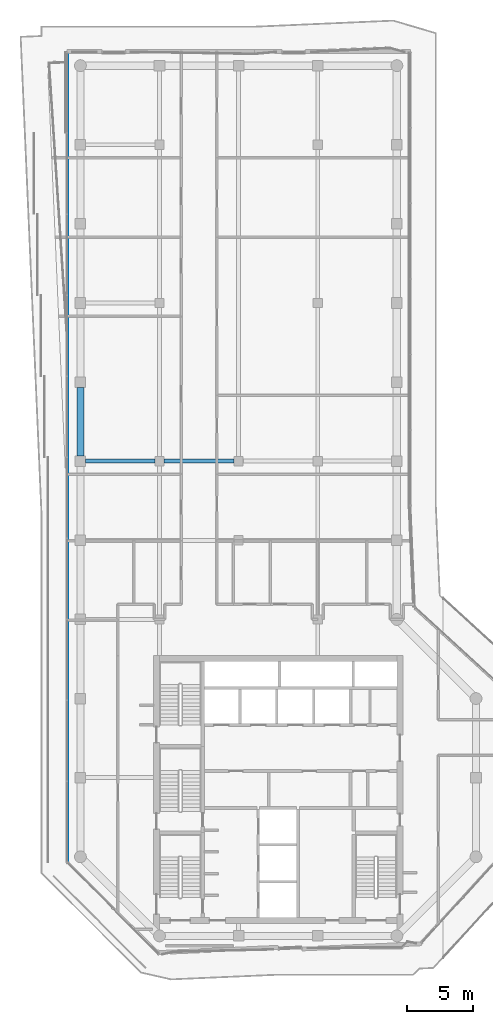
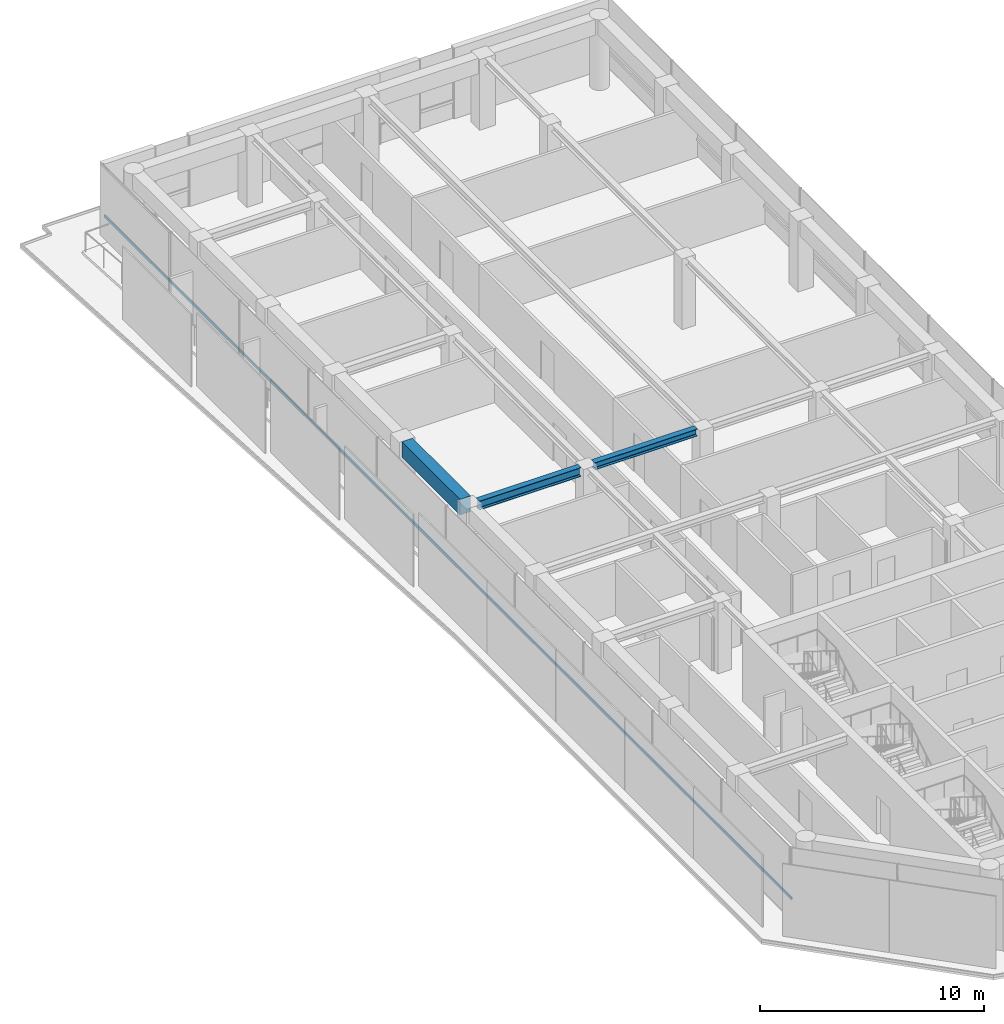
# One storey, part 8 of 21: 3 beams, 1 member, 1 element without a shape of its own.
"""IFC4 building model written with IfcOpenShell, lengths in metres."""

from ifc_helpers import new_model, si_unit, direction, frame, origin, origin_2d, place, context, subcontext, project, spatial, rectangle, i_section, extrude, material, layer, layer_set, material_profile, profile_set, type_object, element, aggregate, save


model = new_model("IFC4")

# Units and contexts
model_context = context("Model", 3, precision=1e-05, world=origin(), true_north=direction((0.0, 1.0)))
body_context = subcontext(model_context, "Body", "Model", "MODEL_VIEW")
ifc_project = project(units=[si_unit("LENGTHUNIT", "METRE"), si_unit("AREAUNIT", "SQUARE_METRE"), si_unit("VOLUMEUNIT", "CUBIC_METRE"), si_unit("PLANEANGLEUNIT", "RADIAN"), si_unit("MASSUNIT", "GRAM", prefix="KILO")], contexts=[model_context])

# Site, building, storey
site_placement = place(None, origin())
site = spatial("IfcSite", under=ifc_project, at=site_placement, CompositionType="ELEMENT")
building_placement = place(site_placement, origin())
building = spatial("IfcBuilding", under=site, at=building_placement, Name="Welwitschia Terrace Campus", CompositionType="ELEMENT")
storey_placement = place(building_placement, frame((0.0, 0.0, 218.0)))
storey = spatial("IfcBuildingStorey", under=building, at=storey_placement, Name="L48", CompositionType="ELEMENT", Elevation=218.0)

# Beams
ifc_material_1 = material(Name="Steel S355", Category="steel")
ifc_material_profile_1 = material_profile(ifc_material_1, i_section(OverallWidth=0.300048828125, OverallDepth=0.389892578125, WebThickness=0.010986328125, FlangeThickness=0.01904296875, FilletRadius=0.027099609375, at=origin_2d()))
ifc_profile_set_1 = profile_set([ifc_material_profile_1], Name="Steel S355")
beam_type_1 = type_object("IfcBeamType", Name="Interior girder HE 400 A", PredefinedType="BEAM", material=ifc_profile_set_1)
beam_1_placement = place(storey_placement, frame((6.3505859375, 40.0, 3.655029296875), z_axis=(1.0, 0.0, 0.0), x_axis=(0.0, 1.0, 0.0)))
element("IfcBeam", 1, at=beam_1_placement, inside=storey, type_object=beam_type_1, Name="Girder GB5", PredefinedType="BEAM", context=body_context, shape_type="SweptSolid", body=[
    extrude(i_section(OverallWidth=0.300048828125, OverallDepth=0.389892578125, WebThickness=0.010986328125, FlangeThickness=0.01904296875, FilletRadius=0.027099609375, at=origin_2d()), origin(), (0.0, 0.0, 1.0), 5.298828125),
])
ifc_material_2 = material(Name="Steel S355", Category="steel")
ifc_material_profile_2 = material_profile(ifc_material_2, i_section(OverallWidth=0.300048828125, OverallDepth=0.489990234375, WebThickness=0.011962890625, FlangeThickness=0.02294921875, FilletRadius=0.027099609375, at=origin_2d()))
ifc_profile_set_2 = profile_set([ifc_material_profile_2], Name="Steel S355")
beam_type_2 = type_object("IfcBeamType", Name="Primary beam HE 500 A", PredefinedType="BEAM", material=ifc_profile_set_2)
beam_2_placement = place(storey_placement, frame((0.400390625, 40.0, 3.60498046875), z_axis=(1.0, 0.0, 0.0), x_axis=(0.0, 1.0, 0.0)))
element("IfcBeam", 2, at=beam_2_placement, inside=storey, type_object=beam_type_2, Name="Primary beam PB5", PredefinedType="BEAM", context=body_context, shape_type="SweptSolid", body=[
    extrude(i_section(OverallWidth=0.300048828125, OverallDepth=0.489990234375, WebThickness=0.011962890625, FlangeThickness=0.02294921875, FilletRadius=0.027099609375, at=origin_2d()), origin(), (0.0, 0.0, 1.0), 5.2490234375),
])
ifc_material_3 = material(Name="Concrete C50/60", Category="concrete")
ifc_material_profile_3 = material_profile(ifc_material_3, rectangle(XDim=0.550048828125, YDim=0.85009765625, at=origin_2d()))
ifc_profile_set_3 = profile_set([ifc_material_profile_3], Name="Concrete C50/60")
beam_type_3 = type_object("IfcBeamType", Name="Ring spandrel 550x850", PredefinedType="SPANDREL", material=ifc_profile_set_3)
beam_3_placement = place(storey_placement, frame((0.0, 45.599609375, 3.425048828125), z_axis=(0.0, -1.0, 0.0), x_axis=(1.0, 0.0, 0.0)))
element("IfcBeam", 3, at=beam_3_placement, inside=storey, type_object=beam_type_3, Name="Spandrel SP3", PredefinedType="SPANDREL", context=body_context, shape_type="SweptSolid", body=[
    extrude(rectangle(XDim=0.550048828125, YDim=0.85009765625, at=origin_2d()), origin(), (0.0, 0.0, 1.0), 5.19921875),
])

# Curtain wall, member
ifc_material_4 = material(Name="Bronze anodised aluminium", Category="aluminium")
ifc_layer = layer(ifc_material_4, 0.1201171875)
ifc_layer_set = layer_set([ifc_layer], Name="Bronze anodised aluminium")
curtain_wall_type = type_object("IfcCurtainWallType", Name="Curtain wall CW2 tower 6000", PredefinedType="NOTDEFINED", material=ifc_layer_set)
curtain_wall_placement = place(storey_placement, origin())
curtain_wall = element("IfcCurtainWall", 4, at=curtain_wall_placement, inside=storey, type_object=curtain_wall_type, Name="CW L48.9.0", PredefinedType="NOTDEFINED")
ifc_material_5 = material(Name="Bronze anodised aluminium", Category="aluminium")
ifc_material_profile_4 = material_profile(ifc_material_5, rectangle(XDim=0.06005859375, YDim=0.14990234375, at=origin_2d()))
ifc_profile_set_4 = profile_set([ifc_material_profile_4], Name="Bronze anodised aluminium")
member_type = type_object("IfcMemberType", Name="Transom 60x150", PredefinedType="USERDEFINED", material=ifc_profile_set_4)
member_placement = place(storey_placement, frame((-0.93994140625, 70.969970703125, 1.0), z_axis=(0.0, -1.0, 0.0), x_axis=(1.0, 0.0, 0.0)))
member = element("IfcMember", 5, at=member_placement, type_object=member_type, Name="Transom L48.9.0", ObjectType="TRANSOM", PredefinedType="USERDEFINED", context=body_context, shape_type="SweptSolid", body=[
    extrude(rectangle(XDim=0.06005859375, YDim=0.14990234375, at=origin_2d()), origin(), (0.0, 0.0, 1.0), 61.336669921875),
])
aggregate(curtain_wall, [member])

save(model, "model.ifc")
